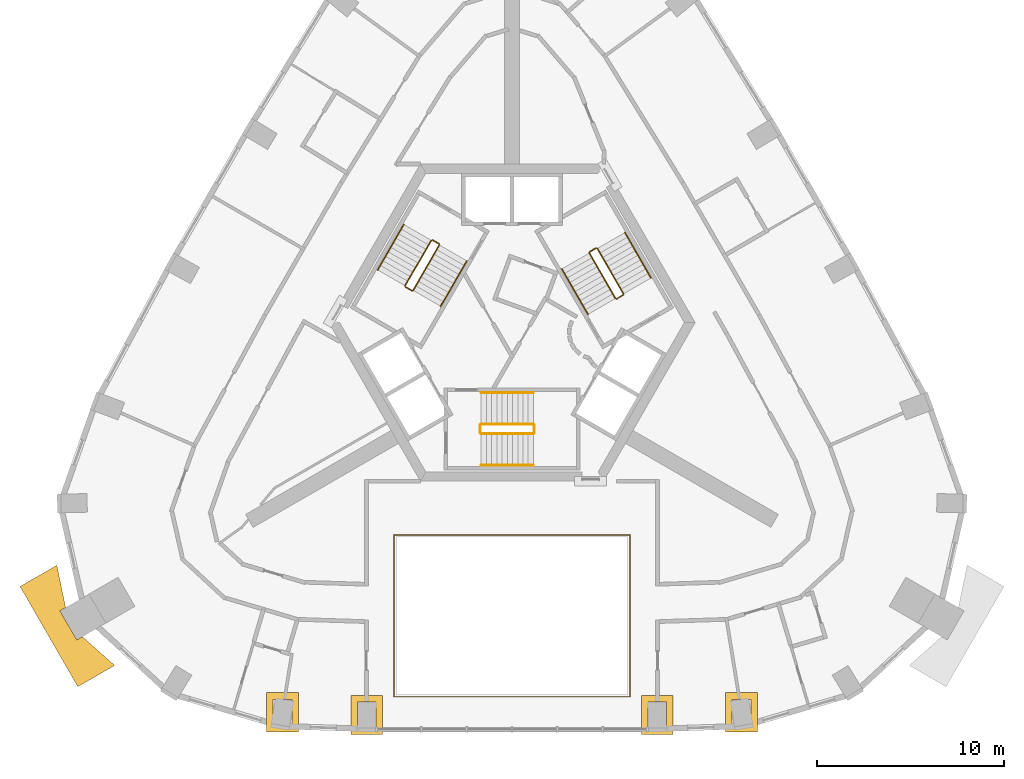
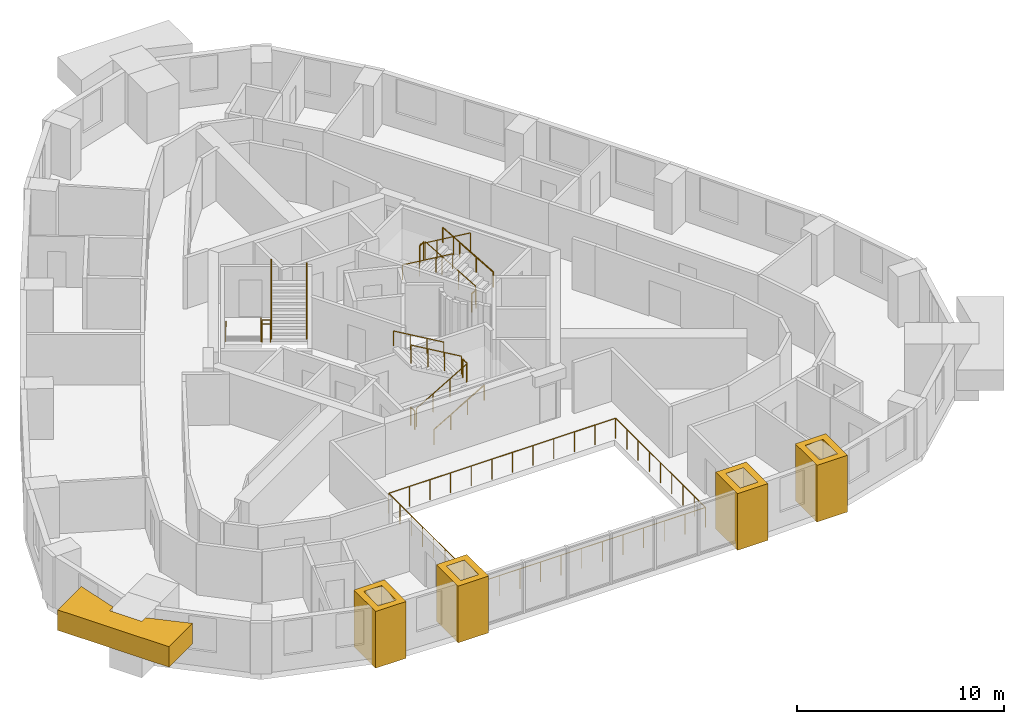
# One storey, part 9 of 10: 19 railings, 5 coverings.
"""IFC4 building model written with IfcOpenShell, lengths in metres."""

from ifc_helpers import new_model, si_unit, direction, frame, origin, origin_2d, place, context, subcontext, project, spatial, polyline, circle, outline, extrude, material, type_object, element, save


model = new_model("IFC4")

# Units and contexts
model_context = context("Model", 3, precision=1e-05, world=origin(), true_north=direction((0.0, 1.0)))
body_context = subcontext(model_context, "Body", "Model", "MODEL_VIEW")
ifc_project = project(units=[si_unit("LENGTHUNIT", "METRE"), si_unit("AREAUNIT", "SQUARE_METRE"), si_unit("VOLUMEUNIT", "CUBIC_METRE"), si_unit("PLANEANGLEUNIT", "RADIAN"), si_unit("MASSUNIT", "GRAM", prefix="KILO")], contexts=[model_context])

# Site, building, storey
site_placement = place(None, origin())
site = spatial("IfcSite", under=ifc_project, at=site_placement, CompositionType="ELEMENT")
building_placement = place(site_placement, origin())
building = spatial("IfcBuilding", under=site, at=building_placement, Name="Entoto Arch Interchange Tower", CompositionType="ELEMENT")
storey_placement = place(building_placement, frame((0.0, 0.0, 322.39990234375)))
storey = spatial("IfcBuildingStorey", under=building, at=storey_placement, Name="L76", CompositionType="ELEMENT", Elevation=322.39990234375)

# Railing
ifc_material_1 = material(Name="Stainless steel 1.4301", Category="steel")
railing_type_1 = type_object("IfcRailingType", Name="ATRIUM GUARD 1200 STEEL AND GLASS", PredefinedType="GUARDRAIL", material=ifc_material_1)
railing_1_placement = place(storey_placement, frame((6.320068359375, -17.548095703125, 0.0)))
element("IfcRailing", 1, at=railing_1_placement, inside=storey, type_object=railing_type_1, Name="Atrium guard L76", PredefinedType="GUARDRAIL", context=body_context, shape_type="SweptSolid", body=[
    extrude(circle(Radius=0.02392578125, at=origin_2d()), frame((0.0, 0.0, 1.17578125), z_axis=(-1.0, 0.0, 0.0), x_axis=(0.0, -1.0, 0.0)), (0.0, 0.0, 1.0), 12.64013671875),
    extrude(circle(Radius=0.02392578125, at=origin_2d()), frame((-12.64013671875, 0.0, 1.17578125), z_axis=(0.0, 1.0, 0.0), x_axis=(-1.0, 0.0, 0.0)), (0.0, 0.0, 1.0), 8.668212890625),
    extrude(circle(Radius=0.02392578125, at=origin_2d()), frame((-12.64013671875, 8.668212890625, 1.17578125), z_axis=(1.0, 0.0, 0.0), x_axis=(0.0, 1.0, 0.0)), (0.0, 0.0, 1.0), 12.64013671875),
    extrude(circle(Radius=0.02392578125, at=origin_2d()), frame((0.0, 8.668212890625, 1.17578125), z_axis=(0.0, -1.0, 0.0), x_axis=(1.0, 0.0, 0.0)), (0.0, 0.0, 1.0), 8.668212890625),
    extrude(circle(Radius=0.02099609375, at=origin_2d()), origin(), (0.0, 0.0, 1.0), 1.15185546875),
    extrude(circle(Radius=0.02099609375, at=origin_2d()), frame((-1.149169921875, 0.0, 0.0)), (0.0, 0.0, 1.0), 1.15185546875),
    extrude(circle(Radius=0.02099609375, at=origin_2d()), frame((-2.298095703125, 0.0, 0.0)), (0.0, 0.0, 1.0), 1.15185546875),
    extrude(circle(Radius=0.02099609375, at=origin_2d()), frame((-3.447265625, 0.0, 0.0)), (0.0, 0.0, 1.0), 1.15185546875),
    extrude(circle(Radius=0.02099609375, at=origin_2d()), frame((-4.596435546875, 0.0, 0.0)), (0.0, 0.0, 1.0), 1.15185546875),
    extrude(circle(Radius=0.02099609375, at=origin_2d()), frame((-5.74560546875, 0.0, 0.0)), (0.0, 0.0, 1.0), 1.15185546875),
    extrude(circle(Radius=0.02099609375, at=origin_2d()), frame((-6.89453125, 0.0, 0.0)), (0.0, 0.0, 1.0), 1.15185546875),
    extrude(circle(Radius=0.02099609375, at=origin_2d()), frame((-8.043701171875, 0.0, 0.0)), (0.0, 0.0, 1.0), 1.15185546875),
    extrude(circle(Radius=0.02099609375, at=origin_2d()), frame((-9.19287109375, 0.0, 0.0)), (0.0, 0.0, 1.0), 1.15185546875),
    extrude(circle(Radius=0.02099609375, at=origin_2d()), frame((-10.342041015625, 0.0, 0.0)), (0.0, 0.0, 1.0), 1.15185546875),
    extrude(circle(Radius=0.02099609375, at=origin_2d()), frame((-11.490966796875, 0.0, 0.0)), (0.0, 0.0, 1.0), 1.15185546875),
    extrude(circle(Radius=0.02099609375, at=origin_2d()), frame((-12.64013671875, 0.0, 0.0)), (0.0, 0.0, 1.0), 1.15185546875),
    extrude(circle(Radius=0.02099609375, at=origin_2d()), frame((-12.64013671875, 1.08349609375, 0.0)), (0.0, 0.0, 1.0), 1.15185546875),
    extrude(circle(Radius=0.02099609375, at=origin_2d()), frame((-12.64013671875, 2.1669921875, 0.0)), (0.0, 0.0, 1.0), 1.15185546875),
    extrude(circle(Radius=0.02099609375, at=origin_2d()), frame((-12.64013671875, 3.25048828125, 0.0)), (0.0, 0.0, 1.0), 1.15185546875),
    extrude(circle(Radius=0.02099609375, at=origin_2d()), frame((-12.64013671875, 4.333984375, 0.0)), (0.0, 0.0, 1.0), 1.15185546875),
    extrude(circle(Radius=0.02099609375, at=origin_2d()), frame((-12.64013671875, 5.417724609375, 0.0)), (0.0, 0.0, 1.0), 1.15185546875),
    extrude(circle(Radius=0.02099609375, at=origin_2d()), frame((-12.64013671875, 6.501220703125, 0.0)), (0.0, 0.0, 1.0), 1.15185546875),
    extrude(circle(Radius=0.02099609375, at=origin_2d()), frame((-12.64013671875, 7.584716796875, 0.0)), (0.0, 0.0, 1.0), 1.15185546875),
    extrude(circle(Radius=0.02099609375, at=origin_2d()), frame((-12.64013671875, 8.668212890625, 0.0)), (0.0, 0.0, 1.0), 1.15185546875),
    extrude(circle(Radius=0.02099609375, at=origin_2d()), frame((-11.490966796875, 8.668212890625, 0.0)), (0.0, 0.0, 1.0), 1.15185546875),
    extrude(circle(Radius=0.02099609375, at=origin_2d()), frame((-10.342041015625, 8.668212890625, 0.0)), (0.0, 0.0, 1.0), 1.15185546875),
    extrude(circle(Radius=0.02099609375, at=origin_2d()), frame((-9.19287109375, 8.668212890625, 0.0)), (0.0, 0.0, 1.0), 1.15185546875),
    extrude(circle(Radius=0.02099609375, at=origin_2d()), frame((-8.043701171875, 8.668212890625, 0.0)), (0.0, 0.0, 1.0), 1.15185546875),
    extrude(circle(Radius=0.02099609375, at=origin_2d()), frame((-6.89453125, 8.668212890625, 0.0)), (0.0, 0.0, 1.0), 1.15185546875),
    extrude(circle(Radius=0.02099609375, at=origin_2d()), frame((-5.74560546875, 8.668212890625, 0.0)), (0.0, 0.0, 1.0), 1.15185546875),
    extrude(circle(Radius=0.02099609375, at=origin_2d()), frame((-4.596435546875, 8.668212890625, 0.0)), (0.0, 0.0, 1.0), 1.15185546875),
    extrude(circle(Radius=0.02099609375, at=origin_2d()), frame((-3.447265625, 8.668212890625, 0.0)), (0.0, 0.0, 1.0), 1.15185546875),
    extrude(circle(Radius=0.02099609375, at=origin_2d()), frame((-2.298095703125, 8.668212890625, 0.0)), (0.0, 0.0, 1.0), 1.15185546875),
    extrude(circle(Radius=0.02099609375, at=origin_2d()), frame((-1.149169921875, 8.668212890625, 0.0)), (0.0, 0.0, 1.0), 1.15185546875),
    extrude(circle(Radius=0.02099609375, at=origin_2d()), frame((0.0, 8.668212890625, 0.0)), (0.0, 0.0, 1.0), 1.15185546875),
    extrude(circle(Radius=0.02099609375, at=origin_2d()), frame((0.0, 7.584716796875, 0.0)), (0.0, 0.0, 1.0), 1.15185546875),
    extrude(circle(Radius=0.02099609375, at=origin_2d()), frame((0.0, 6.501220703125, 0.0)), (0.0, 0.0, 1.0), 1.15185546875),
    extrude(circle(Radius=0.02099609375, at=origin_2d()), frame((0.0, 5.417724609375, 0.0)), (0.0, 0.0, 1.0), 1.15185546875),
    extrude(circle(Radius=0.02099609375, at=origin_2d()), frame((0.0, 4.333984375, 0.0)), (0.0, 0.0, 1.0), 1.15185546875),
    extrude(circle(Radius=0.02099609375, at=origin_2d()), frame((0.0, 3.25048828125, 0.0)), (0.0, 0.0, 1.0), 1.15185546875),
    extrude(circle(Radius=0.02099609375, at=origin_2d()), frame((0.0, 2.1669921875, 0.0)), (0.0, 0.0, 1.0), 1.15185546875),
    extrude(circle(Radius=0.02099609375, at=origin_2d()), frame((0.0, 1.08349609375, 0.0)), (0.0, 0.0, 1.0), 1.15185546875),
])

# Coverings
ifc_material_2 = material(Name="Board-marked precast concrete C50/60", Category="concrete")
covering_type = type_object("IfcCoveringType", Name="PRECAST FRAME COURSE", PredefinedType="CLADDING", material=ifc_material_2)
covering_1_placement = place(storey_placement, frame((0.0, 0.0, 1.800048828125)))
element("IfcCovering", 2, at=covering_1_placement, inside=storey, type_object=covering_type, Name="Corner pilaster head SW L75-L76", PredefinedType="CLADDING", context=body_context, shape_type="SweptSolid", body=[
    extrude(outline(polyline([(-23.264892578125, -17.011962890625), (-26.364990234375, -11.64208984375), (-24.388916015625, -10.5009765625), (-23.922119140625, -12.77197265625), (-24.22509765625, -12.947998046875), (-23.324951171875, -14.506103515625), (-23.02197265625, -14.3310546875), (-21.2890625, -15.87109375), (-23.264892578125, -17.011962890625)])), origin(), (0.0, 0.0, 1.0), 1.199951171875),
])
covering_2_placement = place(storey_placement, frame((0.0, 0.0, -0.33984375)))
element("IfcCovering", 3, at=covering_2_placement, inside=storey, type_object=covering_type, Name="Gate pier L76", PredefinedType="CLADDING", context=body_context, shape_type="SweptSolid", body=[
    extrude(outline(polyline([(-13.14697265625, -17.3349609375), (-11.447021484375, -17.3349609375), (-11.447021484375, -19.43505859375), (-13.14697265625, -19.43505859375), (-13.14697265625, -17.3349609375)]), holes=[polyline([(-12.797119140625, -17.68505859375), (-12.797119140625, -19.0849609375), (-11.797119140625, -19.0849609375), (-11.797119140625, -17.68505859375), (-12.797119140625, -17.68505859375)])]), origin(), (0.0, 0.0, 1.0), 3.33984375),
])
covering_3_placement = place(storey_placement, frame((0.0, 0.0, -0.33984375)))
element("IfcCovering", 4, at=covering_3_placement, inside=storey, type_object=covering_type, Name="Gate pier L76", PredefinedType="CLADDING", context=body_context, shape_type="SweptSolid", body=[
    extrude(outline(polyline([(-8.632080078125, -17.47802734375), (-6.931884765625, -17.47802734375), (-6.931884765625, -19.577880859375), (-8.632080078125, -19.577880859375), (-8.632080078125, -17.47802734375)]), holes=[polyline([(-8.281982421875, -17.827880859375), (-8.281982421875, -19.22802734375), (-7.281982421875, -19.22802734375), (-7.281982421875, -17.827880859375), (-8.281982421875, -17.827880859375)])]), origin(), (0.0, 0.0, 1.0), 3.33984375),
])
covering_4_placement = place(storey_placement, frame((0.0, 0.0, -0.33984375)))
element("IfcCovering", 5, at=covering_4_placement, inside=storey, type_object=covering_type, Name="Gate pier L76", PredefinedType="CLADDING", context=body_context, shape_type="SweptSolid", body=[
    extrude(outline(polyline([(6.931884765625, -17.47802734375), (8.632080078125, -17.47802734375), (8.632080078125, -19.577880859375), (6.931884765625, -19.577880859375), (6.931884765625, -17.47802734375)]), holes=[polyline([(7.281982421875, -17.827880859375), (7.281982421875, -19.22802734375), (8.281982421875, -19.22802734375), (8.281982421875, -17.827880859375), (7.281982421875, -17.827880859375)])]), origin(), (0.0, 0.0, 1.0), 3.33984375),
])
covering_5_placement = place(storey_placement, frame((0.0, 0.0, -0.33984375)))
element("IfcCovering", 6, at=covering_5_placement, inside=storey, type_object=covering_type, Name="Gate pier L76", PredefinedType="CLADDING", context=body_context, shape_type="SweptSolid", body=[
    extrude(outline(polyline([(11.447021484375, -17.3349609375), (13.14697265625, -17.3349609375), (13.14697265625, -19.43505859375), (11.447021484375, -19.43505859375), (11.447021484375, -17.3349609375)]), holes=[polyline([(11.797119140625, -17.68505859375), (11.797119140625, -19.0849609375), (12.797119140625, -19.0849609375), (12.797119140625, -17.68505859375), (11.797119140625, -17.68505859375)])]), origin(), (0.0, 0.0, 1.0), 3.33984375),
])

# Railings
railing_type_2 = type_object("IfcRailingType", Name="STAIR GUARD 1100 STEEL", PredefinedType="GUARDRAIL", material=ifc_material_1)
railing_2_placement = place(storey_placement, frame((-1.64990234375, -3.449951171875, 0.163818359375)))
element("IfcRailing", 7, at=railing_2_placement, inside=storey, type_object=railing_type_2, Name="L76 ST-S stair guard 1", PredefinedType="GUARDRAIL", context=body_context, shape_type="SweptSolid", body=[
    extrude(circle(Radius=0.02392578125, at=origin_2d()), frame((0.0, 0.0, 1.076171875), z_axis=(0.863374499697, 0.0, 0.504563646405), x_axis=(0.0, 1.0, 0.0)), (0.0, 0.0, 1.0), 3.242919921875),
    extrude(circle(Radius=0.02099609375, at=origin_2d()), origin(), (0.0, 0.0, 1.0), 1.052001953125),
    extrude(circle(Radius=0.02099609375, at=origin_2d()), frame((0.933349609375, 0.0, 0.54541015625)), (0.0, 0.0, 1.0), 1.052001953125),
    extrude(circle(Radius=0.02099609375, at=origin_2d()), frame((1.866455078125, 0.0, 1.0908203125)), (0.0, 0.0, 1.0), 1.052001953125),
    extrude(circle(Radius=0.02099609375, at=origin_2d()), frame((2.7998046875, 0.0, 1.63623046875)), (0.0, 0.0, 1.0), 1.052001953125),
])
railing_3_placement = place(storey_placement, frame((1.199951171875, -3.39990234375, 1.800048828125)))
element("IfcRailing", 8, at=railing_3_placement, inside=storey, type_object=railing_type_2, Name="L76 ST-S stair guard 2", PredefinedType="GUARDRAIL", context=body_context, shape_type="SweptSolid", body=[
    extrude(circle(Radius=0.02392578125, at=origin_2d()), frame((0.0, 0.0, 1.076171875), z_axis=(0.0, 1.0, 0.0), x_axis=(-1.0, 0.0, 0.0)), (0.0, 0.0, 1.0), 0.39990234375),
    extrude(circle(Radius=0.02099609375, at=origin_2d()), origin(), (0.0, 0.0, 1.0), 1.052001953125),
    extrude(circle(Radius=0.02099609375, at=origin_2d()), frame((0.0, 0.39990234375, 0.0)), (0.0, 0.0, 1.0), 1.052001953125),
])
railing_4_placement = place(storey_placement, frame((1.14990234375, -2.949951171875, 1.963623046875)))
element("IfcRailing", 9, at=railing_4_placement, inside=storey, type_object=railing_type_2, Name="L76 ST-S stair guard 3", PredefinedType="GUARDRAIL", context=body_context, shape_type="SweptSolid", body=[
    extrude(circle(Radius=0.02392578125, at=origin_2d()), frame((0.0, 0.0, 1.076171875), z_axis=(-0.863341702679, 0.0, 0.504619762213), x_axis=(0.0, -1.0, 0.0)), (0.0, 0.0, 1.0), 3.242919921875),
    extrude(circle(Radius=0.02099609375, at=origin_2d()), origin(), (0.0, 0.0, 1.0), 1.052001953125),
    extrude(circle(Radius=0.02099609375, at=origin_2d()), frame((-0.933349609375, 0.0, 0.54541015625)), (0.0, 0.0, 1.0), 1.052001953125),
    extrude(circle(Radius=0.02099609375, at=origin_2d()), frame((-1.866455078125, 0.0, 1.091064453125)), (0.0, 0.0, 1.0), 1.052001953125),
    extrude(circle(Radius=0.02099609375, at=origin_2d()), frame((-2.7998046875, 0.0, 1.636474609375)), (0.0, 0.0, 1.0), 1.052001953125),
])
railing_5_placement = place(storey_placement, frame((-1.699951171875, -3.39990234375, 0.0)))
element("IfcRailing", 10, at=railing_5_placement, inside=storey, type_object=railing_type_2, Name="L76 ST-S stair guard 4", PredefinedType="GUARDRAIL", context=body_context, shape_type="SweptSolid", body=[
    extrude(circle(Radius=0.02392578125, at=origin_2d()), frame((0.0, 0.0, 1.076171875), z_axis=(0.0, 1.0, 0.0), x_axis=(-1.0, 0.0, 0.0)), (0.0, 0.0, 1.0), 0.39990234375),
    extrude(circle(Radius=0.02099609375, at=origin_2d()), origin(), (0.0, 0.0, 1.0), 1.052001953125),
    extrude(circle(Radius=0.02099609375, at=origin_2d()), frame((0.0, 0.39990234375, 0.0)), (0.0, 0.0, 1.0), 1.052001953125),
])
railing_6_placement = place(storey_placement, frame((5.977783203125, 4.046142578125, 0.163818359375)))
element("IfcRailing", 11, at=railing_6_placement, inside=storey, type_object=railing_type_2, Name="L76 ST-NE stair guard 1", PredefinedType="GUARDRAIL", context=body_context, shape_type="SweptSolid", body=[
    extrude(circle(Radius=0.02392578125, at=origin_2d()), frame((0.0, 0.0, 1.076171875), z_axis=(-0.431677027627, 0.74771821388, 0.504551698492), x_axis=(-0.866034573852, -0.49998411664, 0.0)), (0.0, 0.0, 1.0), 3.242919921875),
    extrude(circle(Radius=0.02099609375, at=origin_2d()), origin(), (0.0, 0.0, 1.0), 1.052001953125),
    extrude(circle(Radius=0.02099609375, at=origin_2d()), frame((-0.466552734375, 0.808349609375, 0.54541015625)), (0.0, 0.0, 1.0), 1.052001953125),
    extrude(circle(Radius=0.02099609375, at=origin_2d()), frame((-0.933349609375, 1.616455078125, 1.0908203125)), (0.0, 0.0, 1.0), 1.052001953125),
    extrude(circle(Radius=0.02099609375, at=origin_2d()), frame((-1.39990234375, 2.4248046875, 1.63623046875)), (0.0, 0.0, 1.0), 1.052001953125),
])
railing_7_placement = place(storey_placement, frame((4.509521484375, 6.4892578125, 1.800048828125)))
element("IfcRailing", 12, at=railing_7_placement, inside=storey, type_object=railing_type_2, Name="L76 ST-NE stair guard 2", PredefinedType="GUARDRAIL", context=body_context, shape_type="SweptSolid", body=[
    extrude(circle(Radius=0.02392578125, at=origin_2d()), frame((0.0, 0.0, 1.076171875), z_axis=(-0.866094119867, -0.499880961361, 0.0), x_axis=(0.499880961361, -0.866094119867, 0.0)), (0.0, 0.0, 1.0), 0.39990234375),
    extrude(circle(Radius=0.02099609375, at=origin_2d()), origin(), (0.0, 0.0, 1.0), 1.052001953125),
    extrude(circle(Radius=0.02099609375, at=origin_2d()), frame((-0.346435546875, -0.199951171875, 0.0)), (0.0, 0.0, 1.0), 1.052001953125),
])
railing_8_placement = place(storey_placement, frame((4.144775390625, 6.220947265625, 1.963623046875)))
element("IfcRailing", 13, at=railing_8_placement, inside=storey, type_object=railing_type_2, Name="L76 ST-NE stair guard 3", PredefinedType="GUARDRAIL", context=body_context, shape_type="SweptSolid", body=[
    extrude(circle(Radius=0.02392578125, at=origin_2d()), frame((0.0, 0.0, 1.076171875), z_axis=(0.431721881032, -0.747665513933, 0.504591415616), x_axis=(0.865996816683, 0.500049511043, 0.0)), (0.0, 0.0, 1.0), 3.2431640625),
    extrude(circle(Radius=0.02099609375, at=origin_2d()), origin(), (0.0, 0.0, 1.0), 1.052001953125),
    extrude(circle(Radius=0.02099609375, at=origin_2d()), frame((0.466796875, -0.808349609375, 0.54541015625)), (0.0, 0.0, 1.0), 1.052001953125),
    extrude(circle(Radius=0.02099609375, at=origin_2d()), frame((0.933349609375, -1.616455078125, 1.091064453125)), (0.0, 0.0, 1.0), 1.052001953125),
    extrude(circle(Radius=0.02099609375, at=origin_2d()), frame((1.400146484375, -2.4248046875, 1.636474609375)), (0.0, 0.0, 1.0), 1.052001953125),
])
railing_9_placement = place(storey_placement, frame((5.95947265625, 3.977783203125, 0.0)))
element("IfcRailing", 14, at=railing_9_placement, inside=storey, type_object=railing_type_2, Name="L76 ST-NE stair guard 4", PredefinedType="GUARDRAIL", context=body_context, shape_type="SweptSolid", body=[
    extrude(circle(Radius=0.02392578125, at=origin_2d()), frame((0.0, 0.0, 1.076171875), z_axis=(-0.866094119867, -0.499880961361, 0.0), x_axis=(0.499880961361, -0.866094119867, 0.0)), (0.0, 0.0, 1.0), 0.39990234375),
    extrude(circle(Radius=0.02099609375, at=origin_2d()), origin(), (0.0, 0.0, 1.0), 1.052001953125),
    extrude(circle(Radius=0.02099609375, at=origin_2d()), frame((-0.346435546875, -0.199951171875, 0.0)), (0.0, 0.0, 1.0), 1.052001953125),
])
railing_10_placement = place(storey_placement, frame((-4.327880859375, 6.904052734375, 0.163818359375)))
element("IfcRailing", 15, at=railing_10_placement, inside=storey, type_object=railing_type_2, Name="L76 ST-NW stair guard 1", PredefinedType="GUARDRAIL", context=body_context, shape_type="SweptSolid", body=[
    extrude(circle(Radius=0.02392578125, at=origin_2d()), frame((0.0, 0.0, 1.076171875), z_axis=(-0.43165272891, -0.747751404999, 0.504523297725), x_axis=(0.866056369097, -0.49994636267, 0.0)), (0.0, 0.0, 1.0), 3.2431640625),
    extrude(circle(Radius=0.02099609375, at=origin_2d()), origin(), (0.0, 0.0, 1.0), 1.052001953125),
    extrude(circle(Radius=0.02099609375, at=origin_2d()), frame((-0.466552734375, -0.808349609375, 0.54541015625)), (0.0, 0.0, 1.0), 1.052001953125),
    extrude(circle(Radius=0.02099609375, at=origin_2d()), frame((-0.933349609375, -1.61669921875, 1.0908203125)), (0.0, 0.0, 1.0), 1.052001953125),
    extrude(circle(Radius=0.02099609375, at=origin_2d()), frame((-1.39990234375, -2.425048828125, 1.63623046875)), (0.0, 0.0, 1.0), 1.052001953125),
])
railing_11_placement = place(storey_placement, frame((-5.70947265625, 4.410888671875, 1.800048828125)))
element("IfcRailing", 16, at=railing_11_placement, inside=storey, type_object=railing_type_2, Name="L76 ST-NW stair guard 2", PredefinedType="GUARDRAIL", context=body_context, shape_type="SweptSolid", body=[
    extrude(circle(Radius=0.02392578125, at=origin_2d()), frame((0.0, 0.0, 1.076171875), z_axis=(0.865829829939, -0.500338590944, 0.0), x_axis=(0.500338590944, 0.865829829939, 0.0)), (0.0, 0.0, 1.0), 0.400146484375),
    extrude(circle(Radius=0.02099609375, at=origin_2d()), origin(), (0.0, 0.0, 1.0), 1.052001953125),
    extrude(circle(Radius=0.02099609375, at=origin_2d()), frame((0.346435546875, -0.2001953125, 0.0)), (0.0, 0.0, 1.0), 1.052001953125),
])
railing_12_placement = place(storey_placement, frame((-5.294921875, 4.22900390625, 1.963623046875)))
element("IfcRailing", 17, at=railing_12_placement, inside=storey, type_object=railing_type_2, Name="L76 ST-NW stair guard 3", PredefinedType="GUARDRAIL", context=body_context, shape_type="SweptSolid", body=[
    extrude(circle(Radius=0.02392578125, at=origin_2d()), frame((0.0, 0.0, 1.076171875), z_axis=(0.431697583215, 0.747698708645, 0.504563016616), x_axis=(-0.866018616679, 0.500011755427, 0.0)), (0.0, 0.0, 1.0), 3.243408203125),
    extrude(circle(Radius=0.02099609375, at=origin_2d()), origin(), (0.0, 0.0, 1.0), 1.052001953125),
    extrude(circle(Radius=0.02099609375, at=origin_2d()), frame((0.466796875, 0.808349609375, 0.54541015625)), (0.0, 0.0, 1.0), 1.052001953125),
    extrude(circle(Radius=0.02099609375, at=origin_2d()), frame((0.933349609375, 1.61669921875, 1.091064453125)), (0.0, 0.0, 1.0), 1.052001953125),
    extrude(circle(Radius=0.02099609375, at=origin_2d()), frame((1.400146484375, 2.425048828125, 1.636474609375)), (0.0, 0.0, 1.0), 1.052001953125),
])
railing_13_placement = place(storey_placement, frame((-4.259521484375, 6.92236328125, 0.0)))
element("IfcRailing", 18, at=railing_13_placement, inside=storey, type_object=railing_type_2, Name="L76 ST-NW stair guard 4", PredefinedType="GUARDRAIL", context=body_context, shape_type="SweptSolid", body=[
    extrude(circle(Radius=0.02392578125, at=origin_2d()), frame((0.0, 0.0, 1.076171875), z_axis=(0.865829829939, -0.500338590944, 0.0), x_axis=(0.500338590944, 0.865829829939, 0.0)), (0.0, 0.0, 1.0), 0.400146484375),
    extrude(circle(Radius=0.02099609375, at=origin_2d()), origin(), (0.0, 0.0, 1.0), 1.052001953125),
    extrude(circle(Radius=0.02099609375, at=origin_2d()), frame((0.346435546875, -0.2001953125, 0.0)), (0.0, 0.0, 1.0), 1.052001953125),
])
railing_type_3 = type_object("IfcRailingType", Name="STAIR HANDRAIL 900 STEEL", PredefinedType="HANDRAIL", material=ifc_material_1)
railing_14_placement = place(storey_placement, frame((-1.64990234375, -5.14990234375, 0.163818359375)))
element("IfcRailing", 19, at=railing_14_placement, inside=storey, type_object=railing_type_3, Name="L76 ST-S stair handrail 1", PredefinedType="HANDRAIL", context=body_context, shape_type="SweptSolid", body=[
    extrude(circle(Radius=0.02392578125, at=origin_2d()), frame((0.0, 0.0, 0.8759765625), z_axis=(0.863374499697, 0.0, 0.504563646405), x_axis=(0.0, 1.0, 0.0)), (0.0, 0.0, 1.0), 3.242919921875),
    extrude(circle(Radius=0.02099609375, at=origin_2d()), origin(), (0.0, 0.0, 1.0), 0.851806640625),
    extrude(circle(Radius=0.02099609375, at=origin_2d()), frame((0.933349609375, 0.0, 0.54541015625)), (0.0, 0.0, 1.0), 0.851806640625),
    extrude(circle(Radius=0.02099609375, at=origin_2d()), frame((1.866455078125, 0.0, 1.0908203125)), (0.0, 0.0, 1.0), 0.851806640625),
    extrude(circle(Radius=0.02099609375, at=origin_2d()), frame((2.7998046875, 0.0, 1.63623046875)), (0.0, 0.0, 1.0), 0.851806640625),
])
railing_15_placement = place(storey_placement, frame((1.14990234375, -1.25, 1.963623046875)))
element("IfcRailing", 20, at=railing_15_placement, inside=storey, type_object=railing_type_3, Name="L76 ST-S stair handrail 2", PredefinedType="HANDRAIL", context=body_context, shape_type="SweptSolid", body=[
    extrude(circle(Radius=0.02392578125, at=origin_2d()), frame((0.0, 0.0, 0.8759765625), z_axis=(-0.863341702679, 0.0, 0.504619762213), x_axis=(0.0, -1.0, 0.0)), (0.0, 0.0, 1.0), 3.242919921875),
    extrude(circle(Radius=0.02099609375, at=origin_2d()), origin(), (0.0, 0.0, 1.0), 0.851806640625),
    extrude(circle(Radius=0.02099609375, at=origin_2d()), frame((-0.933349609375, 0.0, 0.54541015625)), (0.0, 0.0, 1.0), 0.851806640625),
    extrude(circle(Radius=0.02099609375, at=origin_2d()), frame((-1.866455078125, 0.0, 1.091064453125)), (0.0, 0.0, 1.0), 0.851806640625),
    extrude(circle(Radius=0.02099609375, at=origin_2d()), frame((-2.7998046875, 0.0, 1.636474609375)), (0.0, 0.0, 1.0), 0.851806640625),
])
railing_16_placement = place(storey_placement, frame((7.4501953125, 4.89599609375, 0.163818359375)))
element("IfcRailing", 21, at=railing_16_placement, inside=storey, type_object=railing_type_3, Name="L76 ST-NE stair handrail 1", PredefinedType="HANDRAIL", context=body_context, shape_type="SweptSolid", body=[
    extrude(circle(Radius=0.02392578125, at=origin_2d()), frame((0.0, 0.0, 0.8759765625), z_axis=(-0.431713979052, 0.747727106176, 0.504506902808), x_axis=(-0.866018616679, -0.500011755427, 0.0)), (0.0, 0.0, 1.0), 3.2431640625),
    extrude(circle(Radius=0.02099609375, at=origin_2d()), origin(), (0.0, 0.0, 1.0), 0.851806640625),
    extrude(circle(Radius=0.02099609375, at=origin_2d()), frame((-0.466796875, 0.808349609375, 0.54541015625)), (0.0, 0.0, 1.0), 0.851806640625),
    extrude(circle(Radius=0.02099609375, at=origin_2d()), frame((-0.933349609375, 1.61669921875, 1.0908203125)), (0.0, 0.0, 1.0), 0.851806640625),
    extrude(circle(Radius=0.02099609375, at=origin_2d()), frame((-1.400146484375, 2.425048828125, 1.63623046875)), (0.0, 0.0, 1.0), 0.851806640625),
])
railing_17_placement = place(storey_placement, frame((2.672607421875, 5.370849609375, 1.963623046875)))
element("IfcRailing", 22, at=railing_17_placement, inside=storey, type_object=railing_type_3, Name="L76 ST-NE stair handrail 2", PredefinedType="HANDRAIL", context=body_context, shape_type="SweptSolid", body=[
    extrude(circle(Radius=0.02392578125, at=origin_2d()), frame((0.0, 0.0, 0.8759765625), z_axis=(0.431660630283, -0.747689811644, 0.504607813879), x_axis=(0.866034573852, 0.49998411664, 0.0)), (0.0, 0.0, 1.0), 3.2431640625),
    extrude(circle(Radius=0.02099609375, at=origin_2d()), origin(), (0.0, 0.0, 1.0), 0.851806640625),
    extrude(circle(Radius=0.02099609375, at=origin_2d()), frame((0.466552734375, -0.808349609375, 0.54541015625)), (0.0, 0.0, 1.0), 0.851806640625),
    extrude(circle(Radius=0.02099609375, at=origin_2d()), frame((0.933349609375, -1.616455078125, 1.091064453125)), (0.0, 0.0, 1.0), 0.851806640625),
    extrude(circle(Radius=0.02099609375, at=origin_2d()), frame((1.39990234375, -2.4248046875, 1.636474609375)), (0.0, 0.0, 1.0), 0.851806640625),
])
railing_18_placement = place(storey_placement, frame((-5.800048828125, 7.75390625, 0.163818359375)))
element("IfcRailing", 23, at=railing_18_placement, inside=storey, type_object=railing_type_3, Name="L76 ST-NW stair handrail 1", PredefinedType="HANDRAIL", context=body_context, shape_type="SweptSolid", body=[
    extrude(circle(Radius=0.02392578125, at=origin_2d()), frame((0.0, 0.0, 0.8759765625), z_axis=(-0.431738279637, -0.747693913401, 0.504535300807), x_axis=(0.865996816683, -0.500049511043, 0.0)), (0.0, 0.0, 1.0), 3.2431640625),
    extrude(circle(Radius=0.02099609375, at=origin_2d()), origin(), (0.0, 0.0, 1.0), 0.851806640625),
    extrude(circle(Radius=0.02099609375, at=origin_2d()), frame((-0.466796875, -0.808349609375, 0.54541015625)), (0.0, 0.0, 1.0), 0.851806640625),
    extrude(circle(Radius=0.02099609375, at=origin_2d()), frame((-0.933349609375, -1.616455078125, 1.0908203125)), (0.0, 0.0, 1.0), 0.851806640625),
    extrude(circle(Radius=0.02099609375, at=origin_2d()), frame((-1.400146484375, -2.4248046875, 1.63623046875)), (0.0, 0.0, 1.0), 0.851806640625),
])
railing_19_placement = place(storey_placement, frame((-3.822509765625, 3.379150390625, 1.963623046875)))
element("IfcRailing", 24, at=railing_19_placement, inside=storey, type_object=railing_type_3, Name="L76 ST-NW stair handrail 2", PredefinedType="HANDRAIL", context=body_context, shape_type="SweptSolid", body=[
    extrude(circle(Radius=0.02392578125, at=origin_2d()), frame((0.0, 0.0, 0.8759765625), z_axis=(0.431660630283, 0.747689811644, 0.504607813879), x_axis=(-0.866034573852, 0.49998411664, 0.0)), (0.0, 0.0, 1.0), 3.2431640625),
    extrude(circle(Radius=0.02099609375, at=origin_2d()), origin(), (0.0, 0.0, 1.0), 0.851806640625),
    extrude(circle(Radius=0.02099609375, at=origin_2d()), frame((0.466552734375, 0.808349609375, 0.54541015625)), (0.0, 0.0, 1.0), 0.851806640625),
    extrude(circle(Radius=0.02099609375, at=origin_2d()), frame((0.933349609375, 1.616455078125, 1.091064453125)), (0.0, 0.0, 1.0), 0.851806640625),
    extrude(circle(Radius=0.02099609375, at=origin_2d()), frame((1.39990234375, 2.4248046875, 1.636474609375)), (0.0, 0.0, 1.0), 0.851806640625),
])

save(model, "model.ifc")
